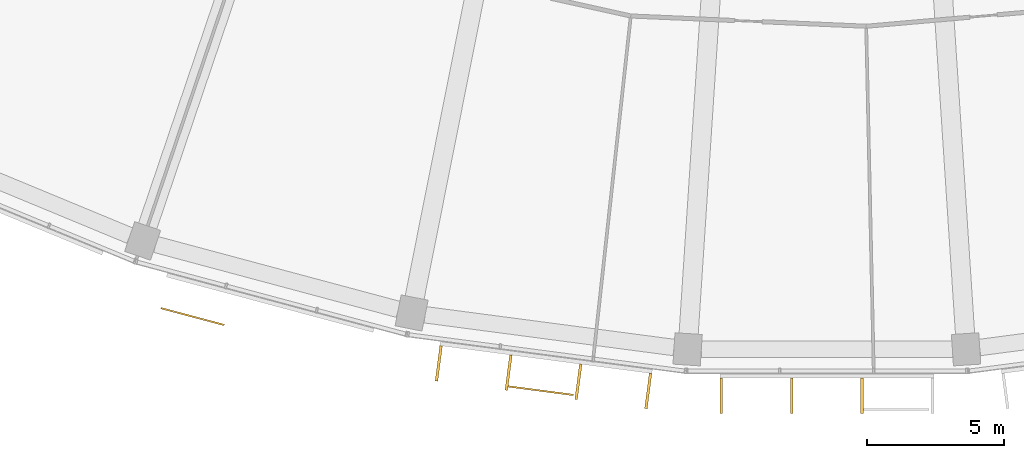
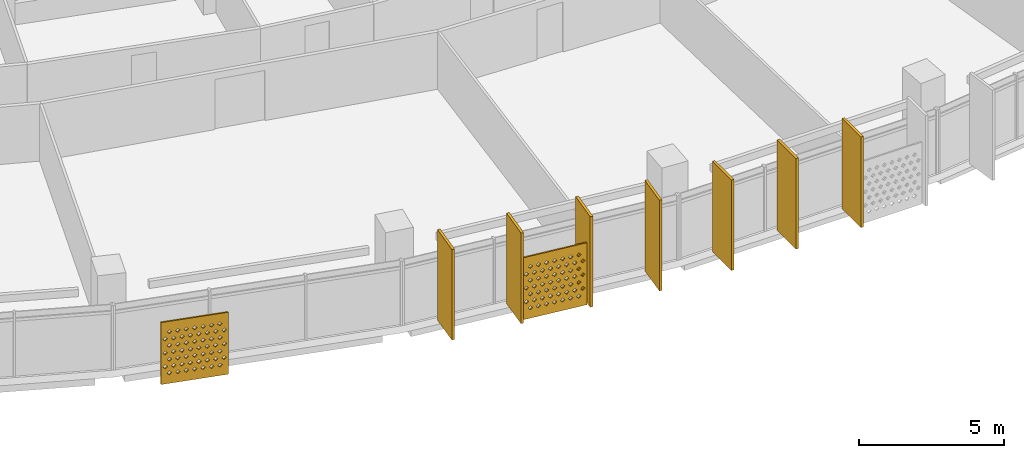
# One storey, part 24 of 27: 9 shading devices.
"""IFC4 building model written with IfcOpenShell, lengths in metres."""

from ifc_helpers import new_model, si_unit, direction, frame, origin, origin_2d, place, context, subcontext, project, spatial, polyline, rectangle, outline, extrude, material, material_profile, profile_set, type_object, element, save


model = new_model("IFC4")

# Units and contexts
model_context = context("Model", 3, precision=1e-05, world=origin(), true_north=direction((0.0, 1.0)))
body_context = subcontext(model_context, "Body", "Model", "MODEL_VIEW")
ifc_project = project(units=[si_unit("LENGTHUNIT", "METRE"), si_unit("AREAUNIT", "SQUARE_METRE"), si_unit("VOLUMEUNIT", "CUBIC_METRE"), si_unit("PLANEANGLEUNIT", "RADIAN"), si_unit("MASSUNIT", "GRAM", prefix="KILO")], contexts=[model_context])

# Site, building, storey
site_placement = place(None, origin())
site = spatial("IfcSite", under=ifc_project, at=site_placement, CompositionType="ELEMENT")
building_placement = place(site_placement, origin())
building = spatial("IfcBuilding", under=site, at=building_placement, Name="Qamariyya Broadcast Tower", CompositionType="ELEMENT")
storey_placement = place(building_placement, frame((0.0, 0.0, 222.699951171875)))
storey = spatial("IfcBuildingStorey", under=building, at=storey_placement, Name="L53", CompositionType="ELEMENT", Elevation=222.699951171875)

# Shading devices
ifc_material_1 = material(Name="Perforated glazed terracotta", Category="masonry")
ifc_material_profile_1 = material_profile(ifc_material_1, outline(polyline([(-1.199951171875, -1.300048828125), (1.199951171875, -1.300048828125), (1.199951171875, 1.300048828125), (-1.199951171875, 1.300048828125), (-1.199951171875, -1.300048828125)]), holes=[polyline([(-0.81494140625, -0.86669921875), (-0.89990234375, -0.78173828125), (-0.985107421875, -0.86669921875), (-0.89990234375, -0.95166015625), (-0.81494140625, -0.86669921875)]), polyline([(-0.514892578125, -0.86669921875), (-0.60009765625, -0.78173828125), (-0.68505859375, -0.86669921875), (-0.60009765625, -0.95166015625), (-0.514892578125, -0.86669921875)]), polyline([(-0.215087890625, -0.86669921875), (-0.300048828125, -0.78173828125), (-0.385009765625, -0.86669921875), (-0.300048828125, -0.95166015625), (-0.215087890625, -0.86669921875)]), polyline([(0.0849609375, -0.86669921875), (0.0, -0.78173828125), (-0.0849609375, -0.86669921875), (0.0, -0.95166015625), (0.0849609375, -0.86669921875)]), polyline([(0.385009765625, -0.86669921875), (0.300048828125, -0.78173828125), (0.215087890625, -0.86669921875), (0.300048828125, -0.95166015625), (0.385009765625, -0.86669921875)]), polyline([(0.68505859375, -0.86669921875), (0.60009765625, -0.78173828125), (0.514892578125, -0.86669921875), (0.60009765625, -0.95166015625), (0.68505859375, -0.86669921875)]), polyline([(0.985107421875, -0.86669921875), (0.89990234375, -0.78173828125), (0.81494140625, -0.86669921875), (0.89990234375, -0.95166015625), (0.985107421875, -0.86669921875)]), polyline([(-0.965087890625, -0.577880859375), (-1.050048828125, -0.49267578125), (-1.135009765625, -0.577880859375), (-1.050048828125, -0.662841796875), (-0.965087890625, -0.577880859375)]), polyline([(-0.6650390625, -0.577880859375), (-0.75, -0.49267578125), (-0.8349609375, -0.577880859375), (-0.75, -0.662841796875), (-0.6650390625, -0.577880859375)]), polyline([(-0.364990234375, -0.577880859375), (-0.449951171875, -0.49267578125), (-0.534912109375, -0.577880859375), (-0.449951171875, -0.662841796875), (-0.364990234375, -0.577880859375)]), polyline([(-0.06494140625, -0.577880859375), (-0.14990234375, -0.49267578125), (-0.235107421875, -0.577880859375), (-0.14990234375, -0.662841796875), (-0.06494140625, -0.577880859375)]), polyline([(0.235107421875, -0.577880859375), (0.14990234375, -0.49267578125), (0.06494140625, -0.577880859375), (0.14990234375, -0.662841796875), (0.235107421875, -0.577880859375)]), polyline([(0.534912109375, -0.577880859375), (0.449951171875, -0.49267578125), (0.364990234375, -0.577880859375), (0.449951171875, -0.662841796875), (0.534912109375, -0.577880859375)]), polyline([(0.8349609375, -0.577880859375), (0.75, -0.49267578125), (0.6650390625, -0.577880859375), (0.75, -0.662841796875), (0.8349609375, -0.577880859375)]), polyline([(1.135009765625, -0.577880859375), (1.050048828125, -0.49267578125), (0.965087890625, -0.577880859375), (1.050048828125, -0.662841796875), (1.135009765625, -0.577880859375)]), polyline([(-0.81494140625, -0.288818359375), (-0.89990234375, -0.203857421875), (-0.985107421875, -0.288818359375), (-0.89990234375, -0.373779296875), (-0.81494140625, -0.288818359375)]), polyline([(-0.514892578125, -0.288818359375), (-0.60009765625, -0.203857421875), (-0.68505859375, -0.288818359375), (-0.60009765625, -0.373779296875), (-0.514892578125, -0.288818359375)]), polyline([(-0.215087890625, -0.288818359375), (-0.300048828125, -0.203857421875), (-0.385009765625, -0.288818359375), (-0.300048828125, -0.373779296875), (-0.215087890625, -0.288818359375)]), polyline([(0.0849609375, -0.288818359375), (0.0, -0.203857421875), (-0.0849609375, -0.288818359375), (0.0, -0.373779296875), (0.0849609375, -0.288818359375)]), polyline([(0.385009765625, -0.288818359375), (0.300048828125, -0.203857421875), (0.215087890625, -0.288818359375), (0.300048828125, -0.373779296875), (0.385009765625, -0.288818359375)]), polyline([(0.68505859375, -0.288818359375), (0.60009765625, -0.203857421875), (0.514892578125, -0.288818359375), (0.60009765625, -0.373779296875), (0.68505859375, -0.288818359375)]), polyline([(0.985107421875, -0.288818359375), (0.89990234375, -0.203857421875), (0.81494140625, -0.288818359375), (0.89990234375, -0.373779296875), (0.985107421875, -0.288818359375)]), polyline([(-0.965087890625, 0.0), (-1.050048828125, 0.0849609375), (-1.135009765625, 0.0), (-1.050048828125, -0.0849609375), (-0.965087890625, 0.0)]), polyline([(-0.6650390625, 0.0), (-0.75, 0.0849609375), (-0.8349609375, 0.0), (-0.75, -0.0849609375), (-0.6650390625, 0.0)]), polyline([(-0.364990234375, 0.0), (-0.449951171875, 0.0849609375), (-0.534912109375, 0.0), (-0.449951171875, -0.0849609375), (-0.364990234375, 0.0)]), polyline([(-0.06494140625, 0.0), (-0.14990234375, 0.0849609375), (-0.235107421875, 0.0), (-0.14990234375, -0.0849609375), (-0.06494140625, 0.0)]), polyline([(0.235107421875, 0.0), (0.14990234375, 0.0849609375), (0.06494140625, 0.0), (0.14990234375, -0.0849609375), (0.235107421875, 0.0)]), polyline([(0.534912109375, 0.0), (0.449951171875, 0.0849609375), (0.364990234375, 0.0), (0.449951171875, -0.0849609375), (0.534912109375, 0.0)]), polyline([(0.8349609375, 0.0), (0.75, 0.0849609375), (0.6650390625, 0.0), (0.75, -0.0849609375), (0.8349609375, 0.0)]), polyline([(1.135009765625, 0.0), (1.050048828125, 0.0849609375), (0.965087890625, 0.0), (1.050048828125, -0.0849609375), (1.135009765625, 0.0)]), polyline([(-0.81494140625, 0.288818359375), (-0.89990234375, 0.373779296875), (-0.985107421875, 0.288818359375), (-0.89990234375, 0.203857421875), (-0.81494140625, 0.288818359375)]), polyline([(-0.514892578125, 0.288818359375), (-0.60009765625, 0.373779296875), (-0.68505859375, 0.288818359375), (-0.60009765625, 0.203857421875), (-0.514892578125, 0.288818359375)]), polyline([(-0.215087890625, 0.288818359375), (-0.300048828125, 0.373779296875), (-0.385009765625, 0.288818359375), (-0.300048828125, 0.203857421875), (-0.215087890625, 0.288818359375)]), polyline([(0.0849609375, 0.288818359375), (0.0, 0.373779296875), (-0.0849609375, 0.288818359375), (0.0, 0.203857421875), (0.0849609375, 0.288818359375)]), polyline([(0.385009765625, 0.288818359375), (0.300048828125, 0.373779296875), (0.215087890625, 0.288818359375), (0.300048828125, 0.203857421875), (0.385009765625, 0.288818359375)]), polyline([(0.68505859375, 0.288818359375), (0.60009765625, 0.373779296875), (0.514892578125, 0.288818359375), (0.60009765625, 0.203857421875), (0.68505859375, 0.288818359375)]), polyline([(0.985107421875, 0.288818359375), (0.89990234375, 0.373779296875), (0.81494140625, 0.288818359375), (0.89990234375, 0.203857421875), (0.985107421875, 0.288818359375)]), polyline([(-0.965087890625, 0.577880859375), (-1.050048828125, 0.662841796875), (-1.135009765625, 0.577880859375), (-1.050048828125, 0.49267578125), (-0.965087890625, 0.577880859375)]), polyline([(-0.6650390625, 0.577880859375), (-0.75, 0.662841796875), (-0.8349609375, 0.577880859375), (-0.75, 0.49267578125), (-0.6650390625, 0.577880859375)]), polyline([(-0.364990234375, 0.577880859375), (-0.449951171875, 0.662841796875), (-0.534912109375, 0.577880859375), (-0.449951171875, 0.49267578125), (-0.364990234375, 0.577880859375)]), polyline([(-0.06494140625, 0.577880859375), (-0.14990234375, 0.662841796875), (-0.235107421875, 0.577880859375), (-0.14990234375, 0.49267578125), (-0.06494140625, 0.577880859375)]), polyline([(0.235107421875, 0.577880859375), (0.14990234375, 0.662841796875), (0.06494140625, 0.577880859375), (0.14990234375, 0.49267578125), (0.235107421875, 0.577880859375)]), polyline([(0.534912109375, 0.577880859375), (0.449951171875, 0.662841796875), (0.364990234375, 0.577880859375), (0.449951171875, 0.49267578125), (0.534912109375, 0.577880859375)]), polyline([(0.8349609375, 0.577880859375), (0.75, 0.662841796875), (0.6650390625, 0.577880859375), (0.75, 0.49267578125), (0.8349609375, 0.577880859375)]), polyline([(1.135009765625, 0.577880859375), (1.050048828125, 0.662841796875), (0.965087890625, 0.577880859375), (1.050048828125, 0.49267578125), (1.135009765625, 0.577880859375)]), polyline([(-0.81494140625, 0.86669921875), (-0.89990234375, 0.95166015625), (-0.985107421875, 0.86669921875), (-0.89990234375, 0.78173828125), (-0.81494140625, 0.86669921875)]), polyline([(-0.514892578125, 0.86669921875), (-0.60009765625, 0.95166015625), (-0.68505859375, 0.86669921875), (-0.60009765625, 0.78173828125), (-0.514892578125, 0.86669921875)]), polyline([(-0.215087890625, 0.86669921875), (-0.300048828125, 0.95166015625), (-0.385009765625, 0.86669921875), (-0.300048828125, 0.78173828125), (-0.215087890625, 0.86669921875)]), polyline([(0.0849609375, 0.86669921875), (0.0, 0.95166015625), (-0.0849609375, 0.86669921875), (0.0, 0.78173828125), (0.0849609375, 0.86669921875)]), polyline([(0.385009765625, 0.86669921875), (0.300048828125, 0.95166015625), (0.215087890625, 0.86669921875), (0.300048828125, 0.78173828125), (0.385009765625, 0.86669921875)]), polyline([(0.68505859375, 0.86669921875), (0.60009765625, 0.95166015625), (0.514892578125, 0.86669921875), (0.60009765625, 0.78173828125), (0.68505859375, 0.86669921875)]), polyline([(0.985107421875, 0.86669921875), (0.89990234375, 0.95166015625), (0.81494140625, 0.86669921875), (0.89990234375, 0.78173828125), (0.985107421875, 0.86669921875)])]))
ifc_profile_set_1 = profile_set([ifc_material_profile_1], Name="Perforated glazed terracotta")
shading_device_type_1 = type_object("IfcShadingDeviceType", Name="Perforated terracotta screen 2400 x 2600", PredefinedType="USERDEFINED", material=ifc_profile_set_1)
shading_device_1_placement = place(storey_placement, frame((-23.160400390625, -76.359130859375, 1.35009765625), z_axis=(-0.256901156343, -0.966437683387, 0.0), x_axis=(0.966437683387, -0.256901156343, 0.0)))
element("IfcShadingDevice", 1, at=shading_device_1_placement, inside=storey, type_object=shading_device_type_1, Name="e-scr-L53-06-0", ObjectType="SCREEN", PredefinedType="USERDEFINED", context=body_context, shape_type="SweptSolid", body=[
    extrude(outline(polyline([(-1.199951171875, -1.300048828125), (1.199951171875, -1.300048828125), (1.199951171875, 1.300048828125), (-1.199951171875, 1.300048828125), (-1.199951171875, -1.300048828125)]), holes=[polyline([(-0.81494140625, -0.86669921875), (-0.89990234375, -0.78173828125), (-0.985107421875, -0.86669921875), (-0.89990234375, -0.95166015625), (-0.81494140625, -0.86669921875)]), polyline([(-0.514892578125, -0.86669921875), (-0.60009765625, -0.78173828125), (-0.68505859375, -0.86669921875), (-0.60009765625, -0.95166015625), (-0.514892578125, -0.86669921875)]), polyline([(-0.215087890625, -0.86669921875), (-0.300048828125, -0.78173828125), (-0.385009765625, -0.86669921875), (-0.300048828125, -0.95166015625), (-0.215087890625, -0.86669921875)]), polyline([(0.0849609375, -0.86669921875), (0.0, -0.78173828125), (-0.0849609375, -0.86669921875), (0.0, -0.95166015625), (0.0849609375, -0.86669921875)]), polyline([(0.385009765625, -0.86669921875), (0.300048828125, -0.78173828125), (0.215087890625, -0.86669921875), (0.300048828125, -0.95166015625), (0.385009765625, -0.86669921875)]), polyline([(0.68505859375, -0.86669921875), (0.60009765625, -0.78173828125), (0.514892578125, -0.86669921875), (0.60009765625, -0.95166015625), (0.68505859375, -0.86669921875)]), polyline([(0.985107421875, -0.86669921875), (0.89990234375, -0.78173828125), (0.81494140625, -0.86669921875), (0.89990234375, -0.95166015625), (0.985107421875, -0.86669921875)]), polyline([(-0.965087890625, -0.577880859375), (-1.050048828125, -0.49267578125), (-1.135009765625, -0.577880859375), (-1.050048828125, -0.662841796875), (-0.965087890625, -0.577880859375)]), polyline([(-0.6650390625, -0.577880859375), (-0.75, -0.49267578125), (-0.8349609375, -0.577880859375), (-0.75, -0.662841796875), (-0.6650390625, -0.577880859375)]), polyline([(-0.364990234375, -0.577880859375), (-0.449951171875, -0.49267578125), (-0.534912109375, -0.577880859375), (-0.449951171875, -0.662841796875), (-0.364990234375, -0.577880859375)]), polyline([(-0.06494140625, -0.577880859375), (-0.14990234375, -0.49267578125), (-0.235107421875, -0.577880859375), (-0.14990234375, -0.662841796875), (-0.06494140625, -0.577880859375)]), polyline([(0.235107421875, -0.577880859375), (0.14990234375, -0.49267578125), (0.06494140625, -0.577880859375), (0.14990234375, -0.662841796875), (0.235107421875, -0.577880859375)]), polyline([(0.534912109375, -0.577880859375), (0.449951171875, -0.49267578125), (0.364990234375, -0.577880859375), (0.449951171875, -0.662841796875), (0.534912109375, -0.577880859375)]), polyline([(0.8349609375, -0.577880859375), (0.75, -0.49267578125), (0.6650390625, -0.577880859375), (0.75, -0.662841796875), (0.8349609375, -0.577880859375)]), polyline([(1.135009765625, -0.577880859375), (1.050048828125, -0.49267578125), (0.965087890625, -0.577880859375), (1.050048828125, -0.662841796875), (1.135009765625, -0.577880859375)]), polyline([(-0.81494140625, -0.288818359375), (-0.89990234375, -0.203857421875), (-0.985107421875, -0.288818359375), (-0.89990234375, -0.373779296875), (-0.81494140625, -0.288818359375)]), polyline([(-0.514892578125, -0.288818359375), (-0.60009765625, -0.203857421875), (-0.68505859375, -0.288818359375), (-0.60009765625, -0.373779296875), (-0.514892578125, -0.288818359375)]), polyline([(-0.215087890625, -0.288818359375), (-0.300048828125, -0.203857421875), (-0.385009765625, -0.288818359375), (-0.300048828125, -0.373779296875), (-0.215087890625, -0.288818359375)]), polyline([(0.0849609375, -0.288818359375), (0.0, -0.203857421875), (-0.0849609375, -0.288818359375), (0.0, -0.373779296875), (0.0849609375, -0.288818359375)]), polyline([(0.385009765625, -0.288818359375), (0.300048828125, -0.203857421875), (0.215087890625, -0.288818359375), (0.300048828125, -0.373779296875), (0.385009765625, -0.288818359375)]), polyline([(0.68505859375, -0.288818359375), (0.60009765625, -0.203857421875), (0.514892578125, -0.288818359375), (0.60009765625, -0.373779296875), (0.68505859375, -0.288818359375)]), polyline([(0.985107421875, -0.288818359375), (0.89990234375, -0.203857421875), (0.81494140625, -0.288818359375), (0.89990234375, -0.373779296875), (0.985107421875, -0.288818359375)]), polyline([(-0.965087890625, 0.0), (-1.050048828125, 0.0849609375), (-1.135009765625, 0.0), (-1.050048828125, -0.0849609375), (-0.965087890625, 0.0)]), polyline([(-0.6650390625, 0.0), (-0.75, 0.0849609375), (-0.8349609375, 0.0), (-0.75, -0.0849609375), (-0.6650390625, 0.0)]), polyline([(-0.364990234375, 0.0), (-0.449951171875, 0.0849609375), (-0.534912109375, 0.0), (-0.449951171875, -0.0849609375), (-0.364990234375, 0.0)]), polyline([(-0.06494140625, 0.0), (-0.14990234375, 0.0849609375), (-0.235107421875, 0.0), (-0.14990234375, -0.0849609375), (-0.06494140625, 0.0)]), polyline([(0.235107421875, 0.0), (0.14990234375, 0.0849609375), (0.06494140625, 0.0), (0.14990234375, -0.0849609375), (0.235107421875, 0.0)]), polyline([(0.534912109375, 0.0), (0.449951171875, 0.0849609375), (0.364990234375, 0.0), (0.449951171875, -0.0849609375), (0.534912109375, 0.0)]), polyline([(0.8349609375, 0.0), (0.75, 0.0849609375), (0.6650390625, 0.0), (0.75, -0.0849609375), (0.8349609375, 0.0)]), polyline([(1.135009765625, 0.0), (1.050048828125, 0.0849609375), (0.965087890625, 0.0), (1.050048828125, -0.0849609375), (1.135009765625, 0.0)]), polyline([(-0.81494140625, 0.288818359375), (-0.89990234375, 0.373779296875), (-0.985107421875, 0.288818359375), (-0.89990234375, 0.203857421875), (-0.81494140625, 0.288818359375)]), polyline([(-0.514892578125, 0.288818359375), (-0.60009765625, 0.373779296875), (-0.68505859375, 0.288818359375), (-0.60009765625, 0.203857421875), (-0.514892578125, 0.288818359375)]), polyline([(-0.215087890625, 0.288818359375), (-0.300048828125, 0.373779296875), (-0.385009765625, 0.288818359375), (-0.300048828125, 0.203857421875), (-0.215087890625, 0.288818359375)]), polyline([(0.0849609375, 0.288818359375), (0.0, 0.373779296875), (-0.0849609375, 0.288818359375), (0.0, 0.203857421875), (0.0849609375, 0.288818359375)]), polyline([(0.385009765625, 0.288818359375), (0.300048828125, 0.373779296875), (0.215087890625, 0.288818359375), (0.300048828125, 0.203857421875), (0.385009765625, 0.288818359375)]), polyline([(0.68505859375, 0.288818359375), (0.60009765625, 0.373779296875), (0.514892578125, 0.288818359375), (0.60009765625, 0.203857421875), (0.68505859375, 0.288818359375)]), polyline([(0.985107421875, 0.288818359375), (0.89990234375, 0.373779296875), (0.81494140625, 0.288818359375), (0.89990234375, 0.203857421875), (0.985107421875, 0.288818359375)]), polyline([(-0.965087890625, 0.577880859375), (-1.050048828125, 0.662841796875), (-1.135009765625, 0.577880859375), (-1.050048828125, 0.49267578125), (-0.965087890625, 0.577880859375)]), polyline([(-0.6650390625, 0.577880859375), (-0.75, 0.662841796875), (-0.8349609375, 0.577880859375), (-0.75, 0.49267578125), (-0.6650390625, 0.577880859375)]), polyline([(-0.364990234375, 0.577880859375), (-0.449951171875, 0.662841796875), (-0.534912109375, 0.577880859375), (-0.449951171875, 0.49267578125), (-0.364990234375, 0.577880859375)]), polyline([(-0.06494140625, 0.577880859375), (-0.14990234375, 0.662841796875), (-0.235107421875, 0.577880859375), (-0.14990234375, 0.49267578125), (-0.06494140625, 0.577880859375)]), polyline([(0.235107421875, 0.577880859375), (0.14990234375, 0.662841796875), (0.06494140625, 0.577880859375), (0.14990234375, 0.49267578125), (0.235107421875, 0.577880859375)]), polyline([(0.534912109375, 0.577880859375), (0.449951171875, 0.662841796875), (0.364990234375, 0.577880859375), (0.449951171875, 0.49267578125), (0.534912109375, 0.577880859375)]), polyline([(0.8349609375, 0.577880859375), (0.75, 0.662841796875), (0.6650390625, 0.577880859375), (0.75, 0.49267578125), (0.8349609375, 0.577880859375)]), polyline([(1.135009765625, 0.577880859375), (1.050048828125, 0.662841796875), (0.965087890625, 0.577880859375), (1.050048828125, 0.49267578125), (1.135009765625, 0.577880859375)]), polyline([(-0.81494140625, 0.86669921875), (-0.89990234375, 0.95166015625), (-0.985107421875, 0.86669921875), (-0.89990234375, 0.78173828125), (-0.81494140625, 0.86669921875)]), polyline([(-0.514892578125, 0.86669921875), (-0.60009765625, 0.95166015625), (-0.68505859375, 0.86669921875), (-0.60009765625, 0.78173828125), (-0.514892578125, 0.86669921875)]), polyline([(-0.215087890625, 0.86669921875), (-0.300048828125, 0.95166015625), (-0.385009765625, 0.86669921875), (-0.300048828125, 0.78173828125), (-0.215087890625, 0.86669921875)]), polyline([(0.0849609375, 0.86669921875), (0.0, 0.95166015625), (-0.0849609375, 0.86669921875), (0.0, 0.78173828125), (0.0849609375, 0.86669921875)]), polyline([(0.385009765625, 0.86669921875), (0.300048828125, 0.95166015625), (0.215087890625, 0.86669921875), (0.300048828125, 0.78173828125), (0.385009765625, 0.86669921875)]), polyline([(0.68505859375, 0.86669921875), (0.60009765625, 0.95166015625), (0.514892578125, 0.86669921875), (0.60009765625, 0.78173828125), (0.68505859375, 0.86669921875)]), polyline([(0.985107421875, 0.86669921875), (0.89990234375, 0.95166015625), (0.81494140625, 0.86669921875), (0.89990234375, 0.78173828125), (0.985107421875, 0.86669921875)])]), origin(), (0.0, 0.0, 1.0), 0.059814453125),
])
shading_device_2_placement = place(storey_placement, frame((-10.4453125, -79.064697265625, 1.35009765625), z_axis=(-0.13056005306, -0.991440402921, 0.0), x_axis=(0.991440402921, -0.13056005306, 0.0)))
element("IfcShadingDevice", 2, at=shading_device_2_placement, inside=storey, type_object=shading_device_type_1, Name="e-scr-L53-07-1", ObjectType="SCREEN", PredefinedType="USERDEFINED", context=body_context, shape_type="SweptSolid", body=[
    extrude(outline(polyline([(-1.199951171875, -1.300048828125), (1.199951171875, -1.300048828125), (1.199951171875, 1.300048828125), (-1.199951171875, 1.300048828125), (-1.199951171875, -1.300048828125)]), holes=[polyline([(-0.81494140625, -0.86669921875), (-0.89990234375, -0.78173828125), (-0.985107421875, -0.86669921875), (-0.89990234375, -0.95166015625), (-0.81494140625, -0.86669921875)]), polyline([(-0.514892578125, -0.86669921875), (-0.60009765625, -0.78173828125), (-0.68505859375, -0.86669921875), (-0.60009765625, -0.95166015625), (-0.514892578125, -0.86669921875)]), polyline([(-0.215087890625, -0.86669921875), (-0.300048828125, -0.78173828125), (-0.385009765625, -0.86669921875), (-0.300048828125, -0.95166015625), (-0.215087890625, -0.86669921875)]), polyline([(0.0849609375, -0.86669921875), (0.0, -0.78173828125), (-0.0849609375, -0.86669921875), (0.0, -0.95166015625), (0.0849609375, -0.86669921875)]), polyline([(0.385009765625, -0.86669921875), (0.300048828125, -0.78173828125), (0.215087890625, -0.86669921875), (0.300048828125, -0.95166015625), (0.385009765625, -0.86669921875)]), polyline([(0.68505859375, -0.86669921875), (0.60009765625, -0.78173828125), (0.514892578125, -0.86669921875), (0.60009765625, -0.95166015625), (0.68505859375, -0.86669921875)]), polyline([(0.985107421875, -0.86669921875), (0.89990234375, -0.78173828125), (0.81494140625, -0.86669921875), (0.89990234375, -0.95166015625), (0.985107421875, -0.86669921875)]), polyline([(-0.965087890625, -0.577880859375), (-1.050048828125, -0.49267578125), (-1.135009765625, -0.577880859375), (-1.050048828125, -0.662841796875), (-0.965087890625, -0.577880859375)]), polyline([(-0.6650390625, -0.577880859375), (-0.75, -0.49267578125), (-0.8349609375, -0.577880859375), (-0.75, -0.662841796875), (-0.6650390625, -0.577880859375)]), polyline([(-0.364990234375, -0.577880859375), (-0.449951171875, -0.49267578125), (-0.534912109375, -0.577880859375), (-0.449951171875, -0.662841796875), (-0.364990234375, -0.577880859375)]), polyline([(-0.06494140625, -0.577880859375), (-0.14990234375, -0.49267578125), (-0.235107421875, -0.577880859375), (-0.14990234375, -0.662841796875), (-0.06494140625, -0.577880859375)]), polyline([(0.235107421875, -0.577880859375), (0.14990234375, -0.49267578125), (0.06494140625, -0.577880859375), (0.14990234375, -0.662841796875), (0.235107421875, -0.577880859375)]), polyline([(0.534912109375, -0.577880859375), (0.449951171875, -0.49267578125), (0.364990234375, -0.577880859375), (0.449951171875, -0.662841796875), (0.534912109375, -0.577880859375)]), polyline([(0.8349609375, -0.577880859375), (0.75, -0.49267578125), (0.6650390625, -0.577880859375), (0.75, -0.662841796875), (0.8349609375, -0.577880859375)]), polyline([(1.135009765625, -0.577880859375), (1.050048828125, -0.49267578125), (0.965087890625, -0.577880859375), (1.050048828125, -0.662841796875), (1.135009765625, -0.577880859375)]), polyline([(-0.81494140625, -0.288818359375), (-0.89990234375, -0.203857421875), (-0.985107421875, -0.288818359375), (-0.89990234375, -0.373779296875), (-0.81494140625, -0.288818359375)]), polyline([(-0.514892578125, -0.288818359375), (-0.60009765625, -0.203857421875), (-0.68505859375, -0.288818359375), (-0.60009765625, -0.373779296875), (-0.514892578125, -0.288818359375)]), polyline([(-0.215087890625, -0.288818359375), (-0.300048828125, -0.203857421875), (-0.385009765625, -0.288818359375), (-0.300048828125, -0.373779296875), (-0.215087890625, -0.288818359375)]), polyline([(0.0849609375, -0.288818359375), (0.0, -0.203857421875), (-0.0849609375, -0.288818359375), (0.0, -0.373779296875), (0.0849609375, -0.288818359375)]), polyline([(0.385009765625, -0.288818359375), (0.300048828125, -0.203857421875), (0.215087890625, -0.288818359375), (0.300048828125, -0.373779296875), (0.385009765625, -0.288818359375)]), polyline([(0.68505859375, -0.288818359375), (0.60009765625, -0.203857421875), (0.514892578125, -0.288818359375), (0.60009765625, -0.373779296875), (0.68505859375, -0.288818359375)]), polyline([(0.985107421875, -0.288818359375), (0.89990234375, -0.203857421875), (0.81494140625, -0.288818359375), (0.89990234375, -0.373779296875), (0.985107421875, -0.288818359375)]), polyline([(-0.965087890625, 0.0), (-1.050048828125, 0.0849609375), (-1.135009765625, 0.0), (-1.050048828125, -0.0849609375), (-0.965087890625, 0.0)]), polyline([(-0.6650390625, 0.0), (-0.75, 0.0849609375), (-0.8349609375, 0.0), (-0.75, -0.0849609375), (-0.6650390625, 0.0)]), polyline([(-0.364990234375, 0.0), (-0.449951171875, 0.0849609375), (-0.534912109375, 0.0), (-0.449951171875, -0.0849609375), (-0.364990234375, 0.0)]), polyline([(-0.06494140625, 0.0), (-0.14990234375, 0.0849609375), (-0.235107421875, 0.0), (-0.14990234375, -0.0849609375), (-0.06494140625, 0.0)]), polyline([(0.235107421875, 0.0), (0.14990234375, 0.0849609375), (0.06494140625, 0.0), (0.14990234375, -0.0849609375), (0.235107421875, 0.0)]), polyline([(0.534912109375, 0.0), (0.449951171875, 0.0849609375), (0.364990234375, 0.0), (0.449951171875, -0.0849609375), (0.534912109375, 0.0)]), polyline([(0.8349609375, 0.0), (0.75, 0.0849609375), (0.6650390625, 0.0), (0.75, -0.0849609375), (0.8349609375, 0.0)]), polyline([(1.135009765625, 0.0), (1.050048828125, 0.0849609375), (0.965087890625, 0.0), (1.050048828125, -0.0849609375), (1.135009765625, 0.0)]), polyline([(-0.81494140625, 0.288818359375), (-0.89990234375, 0.373779296875), (-0.985107421875, 0.288818359375), (-0.89990234375, 0.203857421875), (-0.81494140625, 0.288818359375)]), polyline([(-0.514892578125, 0.288818359375), (-0.60009765625, 0.373779296875), (-0.68505859375, 0.288818359375), (-0.60009765625, 0.203857421875), (-0.514892578125, 0.288818359375)]), polyline([(-0.215087890625, 0.288818359375), (-0.300048828125, 0.373779296875), (-0.385009765625, 0.288818359375), (-0.300048828125, 0.203857421875), (-0.215087890625, 0.288818359375)]), polyline([(0.0849609375, 0.288818359375), (0.0, 0.373779296875), (-0.0849609375, 0.288818359375), (0.0, 0.203857421875), (0.0849609375, 0.288818359375)]), polyline([(0.385009765625, 0.288818359375), (0.300048828125, 0.373779296875), (0.215087890625, 0.288818359375), (0.300048828125, 0.203857421875), (0.385009765625, 0.288818359375)]), polyline([(0.68505859375, 0.288818359375), (0.60009765625, 0.373779296875), (0.514892578125, 0.288818359375), (0.60009765625, 0.203857421875), (0.68505859375, 0.288818359375)]), polyline([(0.985107421875, 0.288818359375), (0.89990234375, 0.373779296875), (0.81494140625, 0.288818359375), (0.89990234375, 0.203857421875), (0.985107421875, 0.288818359375)]), polyline([(-0.965087890625, 0.577880859375), (-1.050048828125, 0.662841796875), (-1.135009765625, 0.577880859375), (-1.050048828125, 0.49267578125), (-0.965087890625, 0.577880859375)]), polyline([(-0.6650390625, 0.577880859375), (-0.75, 0.662841796875), (-0.8349609375, 0.577880859375), (-0.75, 0.49267578125), (-0.6650390625, 0.577880859375)]), polyline([(-0.364990234375, 0.577880859375), (-0.449951171875, 0.662841796875), (-0.534912109375, 0.577880859375), (-0.449951171875, 0.49267578125), (-0.364990234375, 0.577880859375)]), polyline([(-0.06494140625, 0.577880859375), (-0.14990234375, 0.662841796875), (-0.235107421875, 0.577880859375), (-0.14990234375, 0.49267578125), (-0.06494140625, 0.577880859375)]), polyline([(0.235107421875, 0.577880859375), (0.14990234375, 0.662841796875), (0.06494140625, 0.577880859375), (0.14990234375, 0.49267578125), (0.235107421875, 0.577880859375)]), polyline([(0.534912109375, 0.577880859375), (0.449951171875, 0.662841796875), (0.364990234375, 0.577880859375), (0.449951171875, 0.49267578125), (0.534912109375, 0.577880859375)]), polyline([(0.8349609375, 0.577880859375), (0.75, 0.662841796875), (0.6650390625, 0.577880859375), (0.75, 0.49267578125), (0.8349609375, 0.577880859375)]), polyline([(1.135009765625, 0.577880859375), (1.050048828125, 0.662841796875), (0.965087890625, 0.577880859375), (1.050048828125, 0.49267578125), (1.135009765625, 0.577880859375)]), polyline([(-0.81494140625, 0.86669921875), (-0.89990234375, 0.95166015625), (-0.985107421875, 0.86669921875), (-0.89990234375, 0.78173828125), (-0.81494140625, 0.86669921875)]), polyline([(-0.514892578125, 0.86669921875), (-0.60009765625, 0.95166015625), (-0.68505859375, 0.86669921875), (-0.60009765625, 0.78173828125), (-0.514892578125, 0.86669921875)]), polyline([(-0.215087890625, 0.86669921875), (-0.300048828125, 0.95166015625), (-0.385009765625, 0.86669921875), (-0.300048828125, 0.78173828125), (-0.215087890625, 0.86669921875)]), polyline([(0.0849609375, 0.86669921875), (0.0, 0.95166015625), (-0.0849609375, 0.86669921875), (0.0, 0.78173828125), (0.0849609375, 0.86669921875)]), polyline([(0.385009765625, 0.86669921875), (0.300048828125, 0.95166015625), (0.215087890625, 0.86669921875), (0.300048828125, 0.78173828125), (0.385009765625, 0.86669921875)]), polyline([(0.68505859375, 0.86669921875), (0.60009765625, 0.95166015625), (0.514892578125, 0.86669921875), (0.60009765625, 0.78173828125), (0.68505859375, 0.86669921875)]), polyline([(0.985107421875, 0.86669921875), (0.89990234375, 0.95166015625), (0.81494140625, 0.86669921875), (0.89990234375, 0.78173828125), (0.985107421875, 0.86669921875)])]), origin(), (0.0, 0.0, 1.0), 0.059814453125),
])
ifc_material_2 = material(Name="Glazed terracotta", Category="masonry")
ifc_material_profile_2 = material_profile(ifc_material_2, rectangle(XDim=1.300048828125, YDim=0.10009765625, at=origin_2d()))
ifc_profile_set_2 = profile_set([ifc_material_profile_2], Name="Glazed terracotta")
shading_device_type_2 = type_object("IfcShadingDeviceType", Name="Terracotta fin 100 x 1300", PredefinedType="USERDEFINED", material=ifc_profile_set_2)
for number, where, z_axis, x_axis, name in (
    (3, (-14.17333984375, -78.099853515625, 0.0), (0.0, 0.0, 1.0), (-0.13052619222, -0.991444861374, 0.0), "e-fin-L53-07-0"),
    (4, (-11.623291015625, -78.435546875, 0.0), (0.0, 0.0, 1.0), (-0.13052619222, -0.991444861374, 0.0), "e-fin-L53-07-1"),
    (5, (-9.0732421875, -78.771240234375, 0.0), (0.0, 0.0, 1.0), (-0.13052619222, -0.991444861374, 0.0), "e-fin-L53-07-2"),
    (6, (-6.5234375, -79.10693359375, 0.0), (0.0, 0.0, 1.0), (-0.13052619222, -0.991444861374, 0.0), "e-fin-L53-07-3"),
    (7, (-3.85791015625, -79.281494140625, 0.0), (0.0, 0.0, 1.0), (0.0, -1.0, 0.0), "e-fin-L53-08-0"),
    (8, (-1.285888671875, -79.281494140625, 0.0), (0.0, 0.0, 1.0), (0.0, -1.0, 0.0), "e-fin-L53-08-1"),
    (9, (1.285888671875, -79.281494140625, 0.0), (0.0, 0.0, 1.0), (0.0, -1.0, 0.0), "e-fin-L53-08-2"),
):
    element("IfcShadingDevice", number, at=place(storey_placement, frame(where, z_axis=z_axis, x_axis=x_axis)), inside=storey, type_object=shading_device_type_2, Name=name, ObjectType="FIN", PredefinedType="USERDEFINED", context=body_context, shape_type="SweptSolid", body=[
        extrude(rectangle(XDim=1.300048828125, YDim=0.10009765625, at=origin_2d()), origin(), (0.0, 0.0, 1.0), 3.800048828125),
    ])

save(model, "model.ifc")
